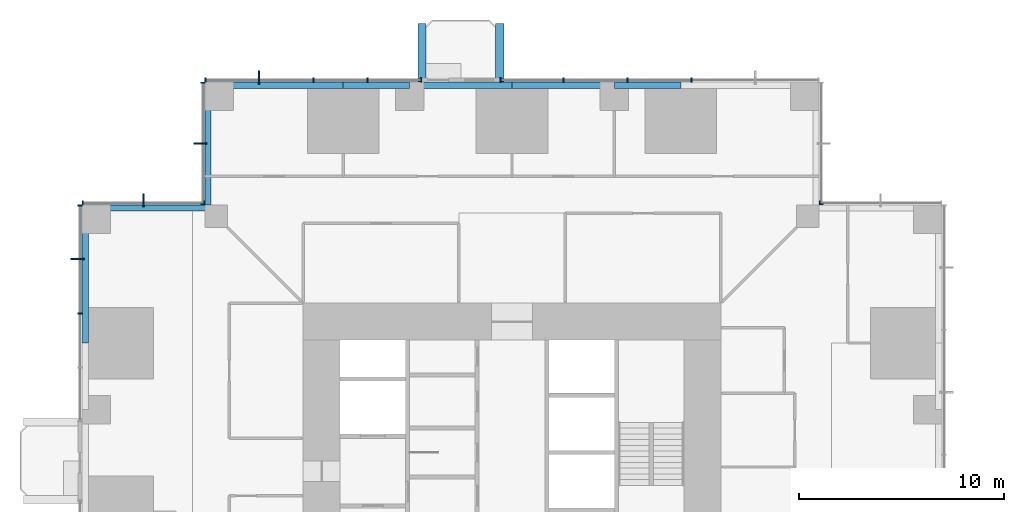
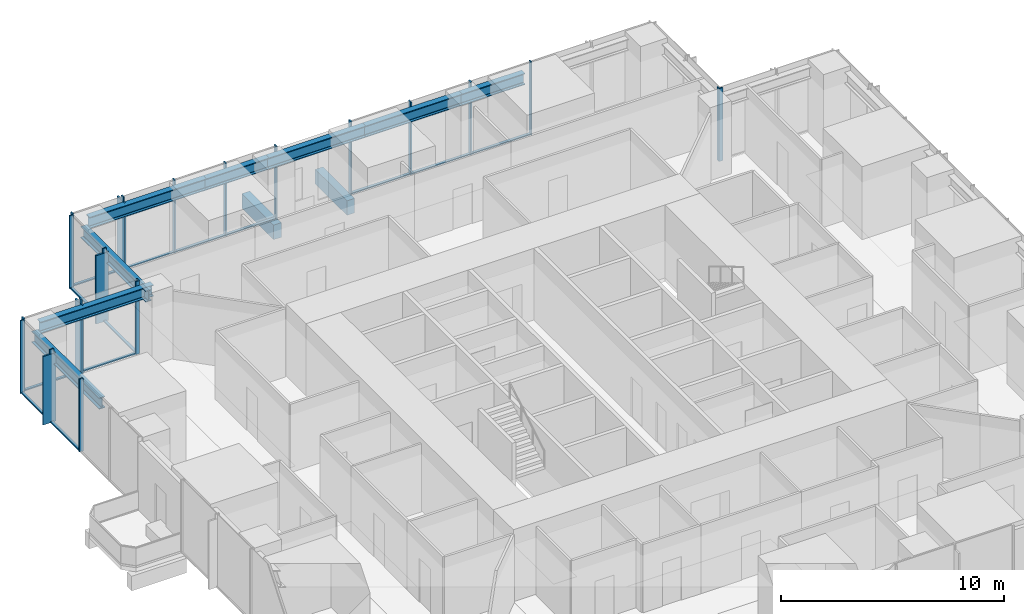
# One storey, part 5 of 16: 37 members, 10 beams, 7 elements without a shape of their own.
"""IFC4 building model written with IfcOpenShell, lengths in metres."""

from ifc_helpers import new_model, si_unit, direction, frame, origin, origin_2d, place, context, subcontext, project, spatial, rectangle, i_section, extrude, material, material_profile, profile_set, type_object, element, aggregate, save


model = new_model("IFC4")

# Units and contexts
model_context = context("Model", 3, precision=1e-05, world=origin(), true_north=direction((0.0, 1.0)))
body_context = subcontext(model_context, "Body", "Model", "MODEL_VIEW")
ifc_project = project(units=[si_unit("LENGTHUNIT", "METRE"), si_unit("AREAUNIT", "SQUARE_METRE"), si_unit("VOLUMEUNIT", "CUBIC_METRE"), si_unit("PLANEANGLEUNIT", "RADIAN"), si_unit("MASSUNIT", "GRAM", prefix="KILO")], contexts=[model_context])

# Site, building, storey
site_placement = place(None, origin())
site = spatial("IfcSite", under=ifc_project, at=site_placement, CompositionType="ELEMENT")
building_placement = place(site_placement, origin())
building = spatial("IfcBuilding", under=site, at=building_placement, Name="Svetlomir Tower", CompositionType="ELEMENT")
storey_placement = place(building_placement, frame((0.0, 0.0, 58.5)))
storey = spatial("IfcBuildingStorey", under=building, at=storey_placement, Name="L13", CompositionType="ELEMENT", Elevation=58.5)

# Beams
ifc_material_1 = material(Name="Concrete C60/75", Category="concrete")
ifc_material_profile_1 = material_profile(ifc_material_1, rectangle(XDim=0.39990234375, YDim=0.800048828125, at=origin_2d()), Name="RC 400x800")
ifc_profile_set_1 = profile_set([ifc_material_profile_1], Name="Concrete C60/75")
beam_type_1 = type_object("IfcBeamType", Name="BALCONY RIB RC 400x800", PredefinedType="BEAM", material=ifc_profile_set_1)
for number, where, z_axis, x_axis, name in (
    (1, (16.60009765625, 42.0, -0.64990234375), (0.0, 1.0, 0.0), (-1.0, 0.0, 0.0), "Balcony rib N 1 L13"),
    (2, (20.39990234375, 42.0, -0.64990234375), (0.0, 1.0, 0.0), (-1.0, 0.0, 0.0), "Balcony rib N 2 L13"),
):
    element("IfcBeam", number, at=place(storey_placement, frame(where, z_axis=z_axis, x_axis=x_axis)), inside=storey, type_object=beam_type_1, Name=name, PredefinedType="BEAM", context=body_context, shape_type="SweptSolid", body=[
        extrude(rectangle(XDim=0.39990234375, YDim=0.800048828125, at=origin_2d()), origin(), (0.0, 0.0, 1.0), 2.85009765625),
    ])

# Curtain wall, member
ifc_material_2 = material(Name="Bronze anodised aluminium curtain wall", Category="aluminium")
curtain_wall_type = type_object("IfcCurtainWallType", Name="CURTAIN WALL CW1 TOWER OFFICE", PredefinedType="NOTDEFINED", material=ifc_material_2)
curtain_wall_1_placement = place(storey_placement, origin())
curtain_wall_1 = element("IfcCurtainWall", 3, at=curtain_wall_1_placement, inside=storey, type_object=curtain_wall_type, Name="Curtain wall CW1 L13", PredefinedType="NOTDEFINED")
ifc_material_3 = material(Name="Bronze anodised aluminium", Category="aluminium")
ifc_material_profile_2 = material_profile(ifc_material_3, rectangle(XDim=0.080078125, YDim=0.64990234375, at=origin_2d()), Name="FIN 80x650")
ifc_profile_set_2 = profile_set([ifc_material_profile_2], Name="Bronze anodised aluminium 6063-T6")
member_type_1 = type_object("IfcMemberType", Name="BRONZE FIN 80x650", PredefinedType="USERDEFINED", material=ifc_profile_set_2)
member_1_placement = place(storey_placement, frame((8.64990234375, 42.22509765625, 0.0), z_axis=(0.0, 0.0, 1.0), x_axis=(1.0, 0.0, 0.0)))
member_1 = element("IfcMember", 4, at=member_1_placement, type_object=member_type_1, Name="Bronze fin L13", ObjectType="FIN", PredefinedType="USERDEFINED", context=body_context, shape_type="SweptSolid", body=[
    extrude(rectangle(XDim=0.080078125, YDim=0.64990234375, at=origin_2d()), origin(), (0.0, 0.0, 1.0), 3.75),
])

curtain_wall_2_placement = place(storey_placement, origin())
curtain_wall_2 = element("IfcCurtainWall", 5, at=curtain_wall_2_placement, inside=storey, type_object=curtain_wall_type, Name="Curtain wall CW1 L13", PredefinedType="NOTDEFINED")
member_2_placement = place(storey_placement, frame((5.77490234375, 39.0, 0.0), z_axis=(0.0, 0.0, 1.0), x_axis=(0.0, 1.0, 0.0)))
member_2 = element("IfcMember", 6, at=member_2_placement, type_object=member_type_1, Name="Bronze fin L13", ObjectType="FIN", PredefinedType="USERDEFINED", context=body_context, shape_type="SweptSolid", body=[
    extrude(rectangle(XDim=0.080078125, YDim=0.64990234375, at=origin_2d()), origin(), (0.0, 0.0, 1.0), 3.75),
])

curtain_wall_3_placement = place(storey_placement, origin())
curtain_wall_3 = element("IfcCurtainWall", 7, at=curtain_wall_3_placement, inside=storey, type_object=curtain_wall_type, Name="Curtain wall CW1 L13", PredefinedType="NOTDEFINED")
member_3_placement = place(storey_placement, frame((3.0, 36.22509765625, 0.0), z_axis=(0.0, 0.0, 1.0), x_axis=(1.0, 0.0, 0.0)))
member_3 = element("IfcMember", 8, at=member_3_placement, type_object=member_type_1, Name="Bronze fin L13", ObjectType="FIN", PredefinedType="USERDEFINED", context=body_context, shape_type="SweptSolid", body=[
    extrude(rectangle(XDim=0.080078125, YDim=0.64990234375, at=origin_2d()), origin(), (0.0, 0.0, 1.0), 3.75),
])

curtain_wall_4_placement = place(storey_placement, origin())
curtain_wall_4 = element("IfcCurtainWall", 9, at=curtain_wall_4_placement, inside=storey, type_object=curtain_wall_type, Name="Curtain wall CW1 L13", PredefinedType="NOTDEFINED")
member_4_placement = place(storey_placement, frame((-0.22509765625, 33.35009765625, 0.0), z_axis=(0.0, 0.0, 1.0), x_axis=(0.0, 1.0, 0.0)))
member_4 = element("IfcMember", 10, at=member_4_placement, type_object=member_type_1, Name="Bronze fin L13", ObjectType="FIN", PredefinedType="USERDEFINED", context=body_context, shape_type="SweptSolid", body=[
    extrude(rectangle(XDim=0.080078125, YDim=0.64990234375, at=origin_2d()), origin(), (0.0, 0.0, 1.0), 3.75),
])

curtain_wall_5_placement = place(storey_placement, origin())
curtain_wall_5 = element("IfcCurtainWall", 11, at=curtain_wall_5_placement, inside=storey, type_object=curtain_wall_type, Name="Curtain wall CW1 L13", PredefinedType="NOTDEFINED")
ifc_material_4 = material(Name="Bronze anodised aluminium", Category="aluminium")
ifc_material_profile_3 = material_profile(ifc_material_4, rectangle(XDim=0.06494140625, YDim=0.199951171875, at=origin_2d()), Name="AL 65x200")
ifc_profile_set_3 = profile_set([ifc_material_profile_3], Name="Bronze anodised aluminium 6063-T6")
member_type_2 = type_object("IfcMemberType", Name="CW1 MULLION 65x200", PredefinedType="MULLION", material=ifc_profile_set_3)
member_5_placement = place(storey_placement, frame((36.032470703125, 36.10009765625, 0.0), z_axis=(0.0, 0.0, 1.0), x_axis=(-1.0, 0.0, 0.0)))
member_5 = element("IfcMember", 12, at=member_5_placement, type_object=member_type_2, Name="CW1 mullion 3", PredefinedType="MULLION", context=body_context, shape_type="SweptSolid", body=[
    extrude(rectangle(XDim=0.06494140625, YDim=0.199951171875, at=origin_2d()), origin(), (0.0, 0.0, 1.0), 4.0),
])
aggregate(curtain_wall_5, [member_5])

curtain_wall_6_placement = place(storey_placement, origin())
curtain_wall_6 = element("IfcCurtainWall", 13, at=curtain_wall_6_placement, inside=storey, type_object=curtain_wall_type, Name="Curtain wall CW1 L13", PredefinedType="NOTDEFINED")
member_6_placement = place(storey_placement, frame((36.10009765625, 36.032470703125, 0.0), z_axis=(0.0, 0.0, 1.0), x_axis=(0.0, 1.0, 0.0)))
member_6 = element("IfcMember", 14, at=member_6_placement, type_object=member_type_2, Name="CW1 mullion 1", PredefinedType="MULLION", context=body_context, shape_type="SweptSolid", body=[
    extrude(rectangle(XDim=0.06494140625, YDim=0.199951171875, at=origin_2d()), origin(), (0.0, 0.0, 1.0), 4.0),
])
aggregate(curtain_wall_6, [member_6])

# Curtain wall, members
curtain_wall_7_placement = place(storey_placement, origin())
curtain_wall_7 = element("IfcCurtainWall", 15, at=curtain_wall_7_placement, inside=storey, type_object=curtain_wall_type, Name="Curtain wall CW1 L13", PredefinedType="NOTDEFINED")
member_7_placement = place(storey_placement, frame((29.760009765625, 42.10009765625, 0.0), z_axis=(0.0, 0.0, 1.0), x_axis=(-1.0, 0.0, 0.0)))
member_7 = element("IfcMember", 16, at=member_7_placement, type_object=member_type_2, Name="CW1 mullion 3", PredefinedType="MULLION", context=body_context, shape_type="SweptSolid", body=[
    extrude(rectangle(XDim=0.06494140625, YDim=0.199951171875, at=origin_2d()), origin(), (0.0, 0.0, 1.0), 4.0),
])
member_8_placement = place(storey_placement, frame((26.639892578125, 42.10009765625, 0.0), z_axis=(0.0, 0.0, 1.0), x_axis=(-1.0, 0.0, 0.0)))
member_8 = element("IfcMember", 17, at=member_8_placement, type_object=member_type_2, Name="CW1 mullion 4", PredefinedType="MULLION", context=body_context, shape_type="SweptSolid", body=[
    extrude(rectangle(XDim=0.06494140625, YDim=0.199951171875, at=origin_2d()), origin(), (0.0, 0.0, 1.0), 4.0),
])
member_9_placement = place(storey_placement, frame((23.52001953125, 42.10009765625, 0.0), z_axis=(0.0, 0.0, 1.0), x_axis=(-1.0, 0.0, 0.0)))
member_9 = element("IfcMember", 18, at=member_9_placement, type_object=member_type_2, Name="CW1 mullion 5", PredefinedType="MULLION", context=body_context, shape_type="SweptSolid", body=[
    extrude(rectangle(XDim=0.06494140625, YDim=0.199951171875, at=origin_2d()), origin(), (0.0, 0.0, 1.0), 4.0),
])
member_10_placement = place(storey_placement, frame((20.4326171875, 42.10009765625, 0.0), z_axis=(0.0, 0.0, 1.0), x_axis=(-1.0, 0.0, 0.0)))
member_10 = element("IfcMember", 19, at=member_10_placement, type_object=member_type_2, Name="CW1 mullion 6", PredefinedType="MULLION", context=body_context, shape_type="SweptSolid", body=[
    extrude(rectangle(XDim=0.06494140625, YDim=0.199951171875, at=origin_2d()), origin(), (0.0, 0.0, 1.0), 4.0),
])

# Member
member_11_placement = place(storey_placement, frame((16.5673828125, 42.10009765625, 0.0), z_axis=(0.0, 0.0, 1.0), x_axis=(-1.0, 0.0, 0.0)))
member_11 = element("IfcMember", 20, at=member_11_placement, type_object=member_type_2, Name="CW1 mullion 1", PredefinedType="MULLION", context=body_context, shape_type="SweptSolid", body=[
    extrude(rectangle(XDim=0.06494140625, YDim=0.199951171875, at=origin_2d()), origin(), (0.0, 0.0, 1.0), 4.0),
])

member_12_placement = place(storey_placement, frame((13.949951171875, 42.10009765625, 0.0), z_axis=(0.0, 0.0, 1.0), x_axis=(-1.0, 0.0, 0.0)))
member_12 = element("IfcMember", 21, at=member_12_placement, type_object=member_type_2, Name="CW1 mullion 2", PredefinedType="MULLION", context=body_context, shape_type="SweptSolid", body=[
    extrude(rectangle(XDim=0.06494140625, YDim=0.199951171875, at=origin_2d()), origin(), (0.0, 0.0, 1.0), 4.0),
])

member_13_placement = place(storey_placement, frame((11.300048828125, 42.10009765625, 0.0), z_axis=(0.0, 0.0, 1.0), x_axis=(-1.0, 0.0, 0.0)))
member_13 = element("IfcMember", 22, at=member_13_placement, type_object=member_type_2, Name="CW1 mullion 3", PredefinedType="MULLION", context=body_context, shape_type="SweptSolid", body=[
    extrude(rectangle(XDim=0.06494140625, YDim=0.199951171875, at=origin_2d()), origin(), (0.0, 0.0, 1.0), 4.0),
])

member_14_placement = place(storey_placement, frame((8.64990234375, 42.10009765625, 0.0), z_axis=(0.0, 0.0, 1.0), x_axis=(-1.0, 0.0, 0.0)))
member_14 = element("IfcMember", 23, at=member_14_placement, type_object=member_type_2, Name="CW1 mullion 4", PredefinedType="MULLION", context=body_context, shape_type="SweptSolid", body=[
    extrude(rectangle(XDim=0.06494140625, YDim=0.199951171875, at=origin_2d()), origin(), (0.0, 0.0, 1.0), 4.0),
])

member_15_placement = place(storey_placement, frame((6.032470703125, 42.10009765625, 0.0), z_axis=(0.0, 0.0, 1.0), x_axis=(-1.0, 0.0, 0.0)))
member_15 = element("IfcMember", 24, at=member_15_placement, type_object=member_type_2, Name="CW1 mullion 5", PredefinedType="MULLION", context=body_context, shape_type="SweptSolid", body=[
    extrude(rectangle(XDim=0.06494140625, YDim=0.199951171875, at=origin_2d()), origin(), (0.0, 0.0, 1.0), 4.0),
])

member_16_placement = place(storey_placement, frame((5.89990234375, 41.967529296875, 0.0), z_axis=(0.0, 0.0, 1.0), x_axis=(0.0, -1.0, 0.0)))
member_16 = element("IfcMember", 25, at=member_16_placement, type_object=member_type_2, Name="CW1 mullion 1", PredefinedType="MULLION", context=body_context, shape_type="SweptSolid", body=[
    extrude(rectangle(XDim=0.06494140625, YDim=0.199951171875, at=origin_2d()), origin(), (0.0, 0.0, 1.0), 4.0),
])

member_17_placement = place(storey_placement, frame((5.89990234375, 39.0, 0.0), z_axis=(0.0, 0.0, 1.0), x_axis=(0.0, -1.0, 0.0)))
member_17 = element("IfcMember", 26, at=member_17_placement, type_object=member_type_2, Name="CW1 mullion 2", PredefinedType="MULLION", context=body_context, shape_type="SweptSolid", body=[
    extrude(rectangle(XDim=0.06494140625, YDim=0.199951171875, at=origin_2d()), origin(), (0.0, 0.0, 1.0), 4.0),
])

member_18_placement = place(storey_placement, frame((5.89990234375, 36.032470703125, 0.0), z_axis=(0.0, 0.0, 1.0), x_axis=(0.0, -1.0, 0.0)))
member_18 = element("IfcMember", 27, at=member_18_placement, type_object=member_type_2, Name="CW1 mullion 3", PredefinedType="MULLION", context=body_context, shape_type="SweptSolid", body=[
    extrude(rectangle(XDim=0.06494140625, YDim=0.199951171875, at=origin_2d()), origin(), (0.0, 0.0, 1.0), 4.0),
])

member_19_placement = place(storey_placement, frame((5.967529296875, 36.10009765625, 0.0), z_axis=(0.0, 0.0, 1.0), x_axis=(-1.0, 0.0, 0.0)))
member_19 = element("IfcMember", 28, at=member_19_placement, type_object=member_type_2, Name="CW1 mullion 1", PredefinedType="MULLION", context=body_context, shape_type="SweptSolid", body=[
    extrude(rectangle(XDim=0.06494140625, YDim=0.199951171875, at=origin_2d()), origin(), (0.0, 0.0, 1.0), 4.0),
])

member_20_placement = place(storey_placement, frame((3.0, 36.10009765625, 0.0), z_axis=(0.0, 0.0, 1.0), x_axis=(-1.0, 0.0, 0.0)))
member_20 = element("IfcMember", 29, at=member_20_placement, type_object=member_type_2, Name="CW1 mullion 2", PredefinedType="MULLION", context=body_context, shape_type="SweptSolid", body=[
    extrude(rectangle(XDim=0.06494140625, YDim=0.199951171875, at=origin_2d()), origin(), (0.0, 0.0, 1.0), 4.0),
])

member_21_placement = place(storey_placement, frame((0.032470703125, 36.10009765625, 0.0), z_axis=(0.0, 0.0, 1.0), x_axis=(-1.0, 0.0, 0.0)))
member_21 = element("IfcMember", 30, at=member_21_placement, type_object=member_type_2, Name="CW1 mullion 3", PredefinedType="MULLION", context=body_context, shape_type="SweptSolid", body=[
    extrude(rectangle(XDim=0.06494140625, YDim=0.199951171875, at=origin_2d()), origin(), (0.0, 0.0, 1.0), 4.0),
])

member_22_placement = place(storey_placement, frame((-0.10009765625, 35.967529296875, 0.0), z_axis=(0.0, 0.0, 1.0), x_axis=(0.0, -1.0, 0.0)))
member_22 = element("IfcMember", 31, at=member_22_placement, type_object=member_type_2, Name="CW1 mullion 1", PredefinedType="MULLION", context=body_context, shape_type="SweptSolid", body=[
    extrude(rectangle(XDim=0.06494140625, YDim=0.199951171875, at=origin_2d()), origin(), (0.0, 0.0, 1.0), 4.0),
])

member_23_placement = place(storey_placement, frame((-0.10009765625, 33.35009765625, 0.0), z_axis=(0.0, 0.0, 1.0), x_axis=(0.0, -1.0, 0.0)))
member_23 = element("IfcMember", 32, at=member_23_placement, type_object=member_type_2, Name="CW1 mullion 2", PredefinedType="MULLION", context=body_context, shape_type="SweptSolid", body=[
    extrude(rectangle(XDim=0.06494140625, YDim=0.199951171875, at=origin_2d()), origin(), (0.0, 0.0, 1.0), 4.0),
])

member_24_placement = place(storey_placement, frame((-0.10009765625, 30.699951171875, 0.0), z_axis=(0.0, 0.0, 1.0), x_axis=(0.0, -1.0, 0.0)))
member_24 = element("IfcMember", 33, at=member_24_placement, type_object=member_type_2, Name="CW1 mullion 3", PredefinedType="MULLION", context=body_context, shape_type="SweptSolid", body=[
    extrude(rectangle(XDim=0.06494140625, YDim=0.199951171875, at=origin_2d()), origin(), (0.0, 0.0, 1.0), 4.0),
])

ifc_material_5 = material(Name="Bronze anodised aluminium", Category="aluminium")
ifc_material_profile_4 = material_profile(ifc_material_5, rectangle(XDim=0.139892578125, YDim=0.06494140625, at=origin_2d()), Name="AL 140x65")
ifc_profile_set_4 = profile_set([ifc_material_profile_4], Name="Bronze anodised aluminium 6063-T6")
member_type_3 = type_object("IfcMemberType", Name="CW1 TRANSOM 65x140", PredefinedType="USERDEFINED", material=ifc_profile_set_4)
member_25_placement = place(storey_placement, frame((29.7275390625, 42.10009765625, 0.032470703125), z_axis=(-1.0, 0.0, 0.0), x_axis=(0.0, -1.0, 0.0)))
member_25 = element("IfcMember", 34, at=member_25_placement, type_object=member_type_3, Name="CW1 transom 3.1", ObjectType="TRANSOM", PredefinedType="USERDEFINED", context=body_context, shape_type="SweptSolid", body=[
    extrude(rectangle(XDim=0.139892578125, YDim=0.06494140625, at=origin_2d()), origin(), (0.0, 0.0, 1.0), 3.054931640625),
])

member_26_placement = place(storey_placement, frame((26.607421875, 42.10009765625, 0.032470703125), z_axis=(-1.0, 0.0, 0.0), x_axis=(0.0, -1.0, 0.0)))
member_26 = element("IfcMember", 35, at=member_26_placement, type_object=member_type_3, Name="CW1 transom 4.1", ObjectType="TRANSOM", PredefinedType="USERDEFINED", context=body_context, shape_type="SweptSolid", body=[
    extrude(rectangle(XDim=0.139892578125, YDim=0.06494140625, at=origin_2d()), origin(), (0.0, 0.0, 1.0), 3.054931640625),
])

member_27_placement = place(storey_placement, frame((23.487548828125, 42.10009765625, 0.032470703125), z_axis=(-1.0, 0.0, 0.0), x_axis=(0.0, -1.0, 0.0)))
member_27 = element("IfcMember", 36, at=member_27_placement, type_object=member_type_3, Name="CW1 transom 5.1", ObjectType="TRANSOM", PredefinedType="USERDEFINED", context=body_context, shape_type="SweptSolid", body=[
    extrude(rectangle(XDim=0.139892578125, YDim=0.06494140625, at=origin_2d()), origin(), (0.0, 0.0, 1.0), 3.0224609375),
])

aggregate(curtain_wall_7, [member_7, member_8, member_9, member_10, member_25, member_26, member_27])

member_28_placement = place(storey_placement, frame((16.534912109375, 42.10009765625, 0.032470703125), z_axis=(-1.0, 0.0, 0.0), x_axis=(0.0, -1.0, 0.0)))
member_28 = element("IfcMember", 37, at=member_28_placement, type_object=member_type_3, Name="CW1 transom 1.1", ObjectType="TRANSOM", PredefinedType="USERDEFINED", context=body_context, shape_type="SweptSolid", body=[
    extrude(rectangle(XDim=0.139892578125, YDim=0.06494140625, at=origin_2d()), origin(), (0.0, 0.0, 1.0), 2.552490234375),
])

member_29_placement = place(storey_placement, frame((13.91748046875, 42.10009765625, 0.032470703125), z_axis=(-1.0, 0.0, 0.0), x_axis=(0.0, -1.0, 0.0)))
member_29 = element("IfcMember", 38, at=member_29_placement, type_object=member_type_3, Name="CW1 transom 2.1", ObjectType="TRANSOM", PredefinedType="USERDEFINED", context=body_context, shape_type="SweptSolid", body=[
    extrude(rectangle(XDim=0.139892578125, YDim=0.06494140625, at=origin_2d()), origin(), (0.0, 0.0, 1.0), 2.5849609375),
])

member_30_placement = place(storey_placement, frame((11.267578125, 42.10009765625, 0.032470703125), z_axis=(-1.0, 0.0, 0.0), x_axis=(0.0, -1.0, 0.0)))
member_30 = element("IfcMember", 39, at=member_30_placement, type_object=member_type_3, Name="CW1 transom 3.1", ObjectType="TRANSOM", PredefinedType="USERDEFINED", context=body_context, shape_type="SweptSolid", body=[
    extrude(rectangle(XDim=0.139892578125, YDim=0.06494140625, at=origin_2d()), origin(), (0.0, 0.0, 1.0), 2.5849609375),
])

member_31_placement = place(storey_placement, frame((8.617431640625, 42.10009765625, 0.032470703125), z_axis=(-1.0, 0.0, 0.0), x_axis=(0.0, -1.0, 0.0)))
member_31 = element("IfcMember", 40, at=member_31_placement, type_object=member_type_3, Name="CW1 transom 4.1", ObjectType="TRANSOM", PredefinedType="USERDEFINED", context=body_context, shape_type="SweptSolid", body=[
    extrude(rectangle(XDim=0.139892578125, YDim=0.06494140625, at=origin_2d()), origin(), (0.0, 0.0, 1.0), 2.552490234375),
])

aggregate(curtain_wall_1, [member_11, member_12, member_13, member_14, member_15, member_28, member_29, member_30, member_31, member_1])

member_32_placement = place(storey_placement, frame((5.89990234375, 41.93505859375, 0.032470703125), z_axis=(0.0, -1.0, 0.0), x_axis=(1.0, 0.0, 0.0)))
member_32 = element("IfcMember", 41, at=member_32_placement, type_object=member_type_3, Name="CW1 transom 1.1", ObjectType="TRANSOM", PredefinedType="USERDEFINED", context=body_context, shape_type="SweptSolid", body=[
    extrude(rectangle(XDim=0.139892578125, YDim=0.06494140625, at=origin_2d()), origin(), (0.0, 0.0, 1.0), 2.902587890625),
])

member_33_placement = place(storey_placement, frame((5.89990234375, 38.967529296875, 0.032470703125), z_axis=(0.0, -1.0, 0.0), x_axis=(1.0, 0.0, 0.0)))
member_33 = element("IfcMember", 42, at=member_33_placement, type_object=member_type_3, Name="CW1 transom 2.1", ObjectType="TRANSOM", PredefinedType="USERDEFINED", context=body_context, shape_type="SweptSolid", body=[
    extrude(rectangle(XDim=0.139892578125, YDim=0.06494140625, at=origin_2d()), origin(), (0.0, 0.0, 1.0), 2.902587890625),
])

aggregate(curtain_wall_2, [member_16, member_17, member_18, member_32, member_33, member_2])

member_34_placement = place(storey_placement, frame((5.93505859375, 36.10009765625, 0.032470703125), z_axis=(-1.0, 0.0, 0.0), x_axis=(0.0, -1.0, 0.0)))
member_34 = element("IfcMember", 43, at=member_34_placement, type_object=member_type_3, Name="CW1 transom 1.1", ObjectType="TRANSOM", PredefinedType="USERDEFINED", context=body_context, shape_type="SweptSolid", body=[
    extrude(rectangle(XDim=0.139892578125, YDim=0.06494140625, at=origin_2d()), origin(), (0.0, 0.0, 1.0), 2.902587890625),
])

member_35_placement = place(storey_placement, frame((2.967529296875, 36.10009765625, 0.032470703125), z_axis=(-1.0, 0.0, 0.0), x_axis=(0.0, -1.0, 0.0)))
member_35 = element("IfcMember", 44, at=member_35_placement, type_object=member_type_3, Name="CW1 transom 2.1", ObjectType="TRANSOM", PredefinedType="USERDEFINED", context=body_context, shape_type="SweptSolid", body=[
    extrude(rectangle(XDim=0.139892578125, YDim=0.06494140625, at=origin_2d()), origin(), (0.0, 0.0, 1.0), 2.902587890625),
])

aggregate(curtain_wall_3, [member_19, member_20, member_21, member_34, member_35, member_3])

member_36_placement = place(storey_placement, frame((-0.10009765625, 35.93505859375, 0.032470703125), z_axis=(0.0, -1.0, 0.0), x_axis=(1.0, 0.0, 0.0)))
member_36 = element("IfcMember", 45, at=member_36_placement, type_object=member_type_3, Name="CW1 transom 1.1", ObjectType="TRANSOM", PredefinedType="USERDEFINED", context=body_context, shape_type="SweptSolid", body=[
    extrude(rectangle(XDim=0.139892578125, YDim=0.06494140625, at=origin_2d()), origin(), (0.0, 0.0, 1.0), 2.552490234375),
])

member_37_placement = place(storey_placement, frame((-0.10009765625, 33.3173828125, 0.032470703125), z_axis=(0.0, -1.0, 0.0), x_axis=(1.0, 0.0, 0.0)))
member_37 = element("IfcMember", 46, at=member_37_placement, type_object=member_type_3, Name="CW1 transom 2.1", ObjectType="TRANSOM", PredefinedType="USERDEFINED", context=body_context, shape_type="SweptSolid", body=[
    extrude(rectangle(XDim=0.139892578125, YDim=0.06494140625, at=origin_2d()), origin(), (0.0, 0.0, 1.0), 2.5849609375),
])

aggregate(curtain_wall_4, [member_22, member_23, member_24, member_36, member_37, member_4])

# Beams
ifc_material_6 = material(Name="Steel S355", Category="steel")
ifc_material_profile_5 = material_profile(ifc_material_6, i_section(OverallWidth=0.304931640625, OverallDepth=0.6201171875, WebThickness=0.02099609375, FlangeThickness=0.0400390625, FilletRadius=0.027099609375, at=origin_2d()), Name="HEM 600")
ifc_profile_set_5 = profile_set([ifc_material_profile_5], Name="Steel S355")
beam_type_2 = type_object("IfcBeamType", Name="EDGE BEAM HEM 600", PredefinedType="SPANDREL", material=ifc_profile_set_5)
beam_1_placement = place(storey_placement, frame((6.699951171875, 41.847412109375, 3.43994140625), z_axis=(1.0, 0.0, 0.0), x_axis=(0.0, 1.0, 0.0)))
element("IfcBeam", 47, at=beam_1_placement, inside=storey, type_object=beam_type_2, Name="Edge beam 6/42 to 11/42 under L14", PredefinedType="SPANDREL", context=body_context, shape_type="SweptSolid", body=[
    extrude(i_section(OverallWidth=0.304931640625, OverallDepth=0.6201171875, WebThickness=0.02099609375, FlangeThickness=0.0400390625, FilletRadius=0.027099609375, at=origin_2d()), origin(), (0.0, 0.0, 1.0), 6.050048828125),
])
beam_2_placement = place(storey_placement, frame((12.75, 41.847412109375, 3.43994140625), z_axis=(1.0, 0.0, 0.0), x_axis=(0.0, 1.0, 0.0)))
element("IfcBeam", 48, at=beam_2_placement, inside=storey, type_object=beam_type_2, Name="Edge beam 11/42 to 16/42 under L14", PredefinedType="SPANDREL", context=body_context, shape_type="SweptSolid", body=[
    extrude(i_section(OverallWidth=0.304931640625, OverallDepth=0.6201171875, WebThickness=0.02099609375, FlangeThickness=0.0400390625, FilletRadius=0.027099609375, at=origin_2d()), origin(), (0.0, 0.0, 1.0), 3.25),
])
for number, where, z_axis, x_axis, name in (
    (49, (16.0, 41.847412109375, 3.43994140625), (1.0, 0.0, 0.0), (0.0, 1.0, 0.0), "Edge beam 16/42 to 21/42 under L14"),
    (50, (21.0, 41.847412109375, 3.43994140625), (1.0, 0.0, 0.0), (0.0, 1.0, 0.0), "Edge beam 21/42 to 26/42 under L14"),
):
    element("IfcBeam", number, at=place(storey_placement, frame(where, z_axis=z_axis, x_axis=x_axis)), inside=storey, type_object=beam_type_2, Name=name, PredefinedType="SPANDREL", context=body_context, shape_type="SweptSolid", body=[
        extrude(i_section(OverallWidth=0.304931640625, OverallDepth=0.6201171875, WebThickness=0.02099609375, FlangeThickness=0.0400390625, FilletRadius=0.027099609375, at=origin_2d()), origin(), (0.0, 0.0, 1.0), 5.0),
    ])
beam_3_placement = place(storey_placement, frame((26.0, 41.847412109375, 3.43994140625), z_axis=(1.0, 0.0, 0.0), x_axis=(0.0, 1.0, 0.0)))
element("IfcBeam", 51, at=beam_3_placement, inside=storey, type_object=beam_type_2, Name="Edge beam 26/42 to 31/42 under L14", PredefinedType="SPANDREL", context=body_context, shape_type="SweptSolid", body=[
    extrude(i_section(OverallWidth=0.304931640625, OverallDepth=0.6201171875, WebThickness=0.02099609375, FlangeThickness=0.0400390625, FilletRadius=0.027099609375, at=origin_2d()), origin(), (0.0, 0.0, 1.0), 3.25),
])
beam_4_placement = place(storey_placement, frame((0.152587890625, 29.25, 3.43994140625), z_axis=(0.0, 1.0, 0.0), x_axis=(-1.0, 0.0, 0.0)))
element("IfcBeam", 52, at=beam_4_placement, inside=storey, type_object=beam_type_2, Name="Edge beam 0/31 to 0/36 under L14", PredefinedType="SPANDREL", context=body_context, shape_type="SweptSolid", body=[
    extrude(i_section(OverallWidth=0.304931640625, OverallDepth=0.6201171875, WebThickness=0.02099609375, FlangeThickness=0.0400390625, FilletRadius=0.027099609375, at=origin_2d()), origin(), (0.0, 0.0, 1.0), 6.050048828125),
])
for number, where, z_axis, x_axis, name in (
    (53, (6.152587890625, 41.300048828125, 3.43994140625), (0.0, -1.0, 0.0), (1.0, 0.0, 0.0), "Edge beam 6/42 to 6/36 under L14"),
    (54, (0.699951171875, 35.847412109375, 3.43994140625), (1.0, 0.0, 0.0), (0.0, 1.0, 0.0), "Edge beam 0/36 to 6/36 under L14"),
):
    element("IfcBeam", number, at=place(storey_placement, frame(where, z_axis=z_axis, x_axis=x_axis)), inside=storey, type_object=beam_type_2, Name=name, PredefinedType="SPANDREL", context=body_context, shape_type="SweptSolid", body=[
        extrude(i_section(OverallWidth=0.304931640625, OverallDepth=0.6201171875, WebThickness=0.02099609375, FlangeThickness=0.0400390625, FilletRadius=0.027099609375, at=origin_2d()), origin(), (0.0, 0.0, 1.0), 5.85009765625),
    ])

save(model, "model.ifc")
